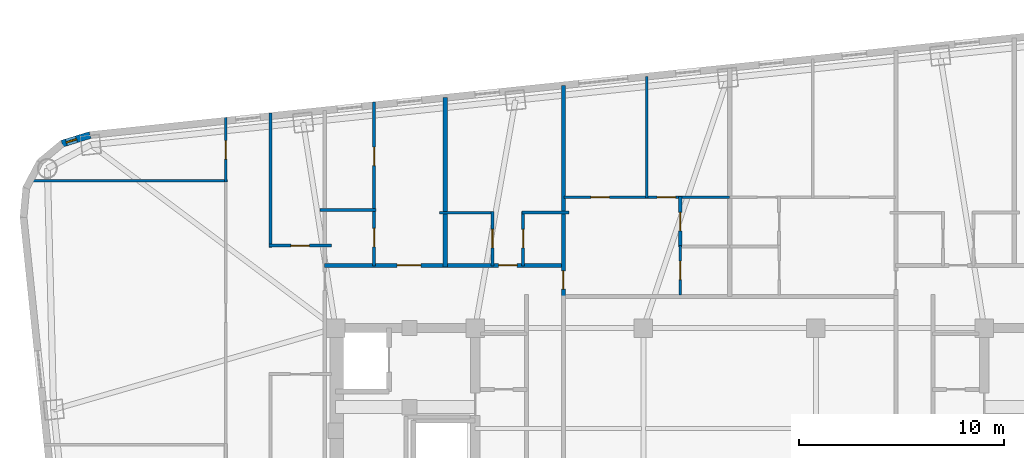
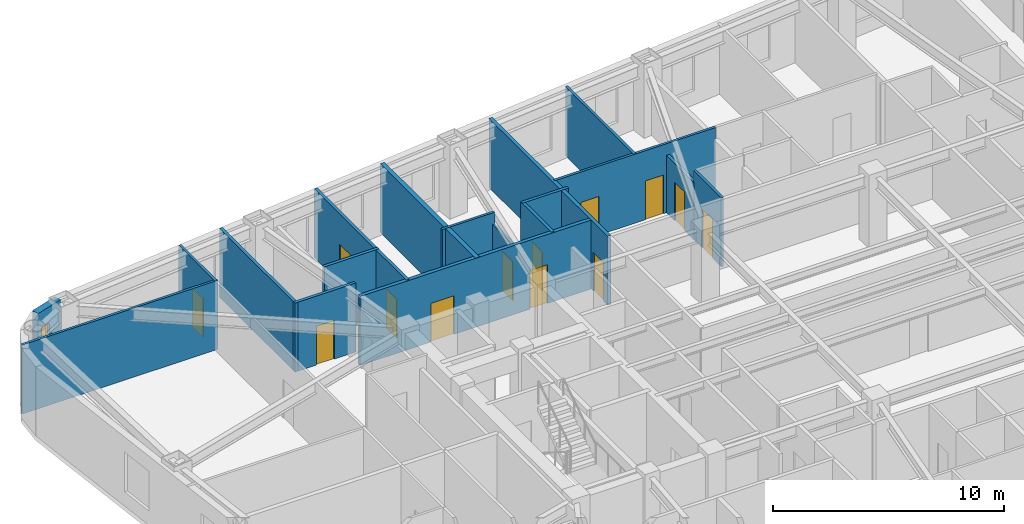
# One storey, part 7 of 11: 19 walls, 13 doors, 1 window, 14 openings.
"""IFC4 building model written with IfcOpenShell, lengths in metres."""

from ifc_helpers import new_model, si_unit, direction, frame, frame_2d, origin, place, context, subcontext, project, spatial, rectangle, extrude, material, layer, layer_set, type_object, element, fill, save


model = new_model("IFC4")

# Units and contexts
model_context = context("Model", 3, precision=1e-05, world=origin(), true_north=direction((0.0, 1.0)))
body_context = subcontext(model_context, "Body", "Model", "MODEL_VIEW")
ifc_project = project(units=[si_unit("LENGTHUNIT", "METRE"), si_unit("AREAUNIT", "SQUARE_METRE"), si_unit("VOLUMEUNIT", "CUBIC_METRE"), si_unit("PLANEANGLEUNIT", "RADIAN"), si_unit("MASSUNIT", "GRAM", prefix="KILO")], contexts=[model_context])

# Site, building, storey
site_placement = place(None, origin())
site = spatial("IfcSite", under=ifc_project, at=site_placement, CompositionType="ELEMENT")
building_placement = place(site_placement, origin())
building = spatial("IfcBuilding", under=site, at=building_placement, Name="Voryun Gate Residences", CompositionType="ELEMENT")
storey_placement = place(building_placement, frame((0.0, 0.0, 156.0)))
storey = spatial("IfcBuildingStorey", under=building, at=storey_placement, Name="L38", CompositionType="ELEMENT", Elevation=156.0)

# Wall, openings, doors
ifc_material_1 = material(Name="Gypsum acoustic fireboard")
ifc_layer_1 = layer(ifc_material_1, 0.179931640625, Name="W_CORR_RATED_180")
ifc_layer_set_1 = layer_set([ifc_layer_1], Name="Gypsum acoustic fireboard")
wall_type_1 = type_object("IfcWallType", Name="W_CORR_RATED_180", PredefinedType="PARTITIONING", material=ifc_layer_set_1)
wall_1_placement = place(storey_placement, frame((-19.75, 10.449951171875, 0.0), z_axis=(0.0, 0.0, 1.0), x_axis=(1.0, 0.0, 0.0)))
wall_1 = element("IfcWall", 1, at=wall_1_placement, inside=storey, type_object=wall_type_1, Name="Partition wall WP-L38-NCORR-W", PredefinedType="PARTITIONING", context=body_context, shape_type="SweptSolid", body=[
    extrude(rectangle(XDim=11.669921875, YDim=0.179931640625, at=frame_2d((5.8349609375, 0.0))), origin(), (0.0, 0.0, 1.0), 3.64990234375),
])
opening_1_placement = place(wall_1_placement, frame((3.552734375, 0.0, 0.0)))
opening_1 = element("IfcOpeningElement", 2, at=opening_1_placement, cuts=wall_1, Name="Opening D-UNIT-1", PredefinedType="OPENING", context=body_context, shape_type="SweptSolid", body=[
    extrude(rectangle(XDim=1.14990234375, YDim=2.050048828125, at=frame_2d((0.574951171875, 1.02490234375))), frame((0.0, 0.099853515625, 0.0), z_axis=(0.0, -1.0, 0.0), x_axis=(1.0, 0.0, 0.0)), (0.0, 0.0, 1.0), 0.199951171875),
])
opening_2_placement = place(wall_1_placement, frame((8.4892578125, 0.0, 0.0)))
opening_2 = element("IfcOpeningElement", 3, at=opening_2_placement, cuts=wall_1, Name="Opening D-INT-2", PredefinedType="OPENING", context=body_context, shape_type="SweptSolid", body=[
    extrude(rectangle(XDim=0.89990234375, YDim=2.050048828125, at=frame_2d((0.449951171875, 1.02490234375))), frame((0.0, 0.099853515625, 0.0), z_axis=(0.0, -1.0, 0.0), x_axis=(1.0, 0.0, 0.0)), (0.0, 0.0, 1.0), 0.199951171875),
])
ifc_material_2 = material(Name="Architectural oak veneer")
door_type_1 = type_object("IfcDoorType", Name="DR_INT_BATH_900", OperationType="NOTDEFINED", PredefinedType="DOOR", material=ifc_material_2)
door_1_placement = place(opening_2_placement, origin())
door_1 = element("IfcDoor", 4, at=door_1_placement, inside=storey, type_object=door_type_1, Name="Door DR-L38-NENT-2", OperationType="SINGLE_SWING_RIGHT", OverallHeight=2.050048828125, OverallWidth=0.89990234375, PredefinedType="DOOR", context=body_context, shape_type="SweptSolid", body=[
    extrude(rectangle(XDim=0.89990234375, YDim=2.050048828125, at=frame_2d((0.449951171875, 1.02490234375))), frame((0.0, 0.02490234375, 0.0), z_axis=(0.0, -1.0, 0.0), x_axis=(1.0, 0.0, 0.0)), (0.0, 0.0, 1.0), 0.050048828125),
])
fill(opening_2, door_1)
ifc_material_3 = material(Name="Armoured timber-clad fire door", Category="wood")
door_type_2 = type_object("IfcDoorType", Name="DR_UNIT_ENTRY_1150", OperationType="NOTDEFINED", PredefinedType="DOOR", material=ifc_material_3)
door_2_placement = place(opening_1_placement, origin())
door_2 = element("IfcDoor", 5, at=door_2_placement, inside=storey, type_object=door_type_2, Name="Door DR-L38-NENT-1", OperationType="SINGLE_SWING_LEFT", OverallHeight=2.050048828125, OverallWidth=1.14990234375, PredefinedType="DOOR", context=body_context, shape_type="SweptSolid", body=[
    extrude(rectangle(XDim=1.14990234375, YDim=2.050048828125, at=frame_2d((0.574951171875, 1.02490234375))), frame((0.0, 0.02490234375, 0.0), z_axis=(0.0, -1.0, 0.0), x_axis=(1.0, 0.0, 0.0)), (0.0, 0.0, 1.0), 0.050048828125),
])
fill(opening_1, door_2)

# Wall, opening, door
wall_2_placement = place(storey_placement, frame((-8.10009765625, 8.93994140625, 0.0), z_axis=(0.0, 0.0, 1.0), x_axis=(0.0, 1.0, 0.0)))
wall_2 = element("IfcWall", 6, at=wall_2_placement, inside=storey, type_object=wall_type_1, Name="Partition wall WP-L38-NZV-1", PredefinedType="PARTITIONING", context=body_context, shape_type="SweptSolid", body=[
    extrude(rectangle(XDim=10.286376953125, YDim=0.179931640625, at=frame_2d((5.14306640625, 0.0))), origin(), (0.0, 0.0, 1.0), 3.64990234375),
])
opening_3_placement = place(wall_2_placement, frame((0.350341796875, 0.0, 0.0)))
opening_3 = element("IfcOpeningElement", 7, at=opening_3_placement, cuts=wall_2, Name="Opening D-INT-2", PredefinedType="OPENING", context=body_context, shape_type="SweptSolid", body=[
    extrude(rectangle(XDim=0.89990234375, YDim=2.050048828125, at=frame_2d((0.449951171875, 1.02490234375))), frame((0.0, 0.099853515625, 0.0), z_axis=(0.0, -1.0, 0.0), x_axis=(1.0, 0.0, 0.0)), (0.0, 0.0, 1.0), 0.199951171875),
])
door_3_placement = place(opening_3_placement, origin())
door_3 = element("IfcDoor", 8, at=door_3_placement, inside=storey, type_object=door_type_1, Name="Door DR-L38-NZENT-1", OperationType="SINGLE_SWING_LEFT", OverallHeight=2.050048828125, OverallWidth=0.89990234375, PredefinedType="DOOR", context=body_context, shape_type="SweptSolid", body=[
    extrude(rectangle(XDim=0.89990234375, YDim=2.050048828125, at=frame_2d((0.449951171875, 1.02490234375))), frame((0.0, 0.02490234375, 0.0), z_axis=(0.0, -1.0, 0.0), x_axis=(1.0, 0.0, 0.0)), (0.0, 0.0, 1.0), 0.050048828125),
])
fill(opening_3, door_3)

# Wall, opening, window
ifc_material_4 = material(Name="Charcoal terracotta masonry", Category="masonry")
ifc_layer_2 = layer(ifc_material_4, 0.340087890625, Name="W_EXT_TERRACOTTA_340")
ifc_layer_set_2 = layer_set([ifc_layer_2], Name="Charcoal terracotta masonry")
wall_type_2 = type_object("IfcWallType", Name="W_EXT_TERRACOTTA_340", PredefinedType="ELEMENTEDWALL", material=ifc_layer_set_2)
wall_3_placement = place(storey_placement, frame((-32.523193359375, 16.37841796875, 0.0), z_axis=(0.0, 0.0, 1.0), x_axis=(0.9549942197, 0.296624409546, 0.0)))
wall_3 = element("IfcWall", 9, at=wall_3_placement, inside=storey, type_object=wall_type_2, Name="Exterior wall WEXT-L38-10", PredefinedType="ELEMENTEDWALL", context=body_context, shape_type="SweptSolid", body=[
    extrude(rectangle(XDim=1.43212890625, YDim=0.340087890625, at=frame_2d((0.716064453125, 0.0))), origin(), (0.0, 0.0, 1.0), 3.64990234375),
])
opening_4_placement = place(wall_3_placement, frame((0.216064453125, 0.0, 0.75)))
opening_4 = element("IfcOpeningElement", 10, at=opening_4_placement, cuts=wall_3, Name="Opening WN10", PredefinedType="OPENING", context=body_context, shape_type="SweptSolid", body=[
    extrude(rectangle(XDim=0.52001953125, YDim=2.050048828125, at=frame_2d((0.260009765625, 1.02490234375))), frame((0.0, 0.179931640625, 0.0), z_axis=(0.0, -1.0, 0.0), x_axis=(1.0, 0.0, 0.0)), (0.0, 0.0, 1.0), 0.360107421875),
])
ifc_material_5 = material(Name="Laminated low-E glass", Category="glass")
window_type = type_object("IfcWindowType", Name="WN_PAGODA_LANCET_520", PartitioningType="SINGLE_PANEL", PredefinedType="WINDOW", material=ifc_material_5)
window_placement = place(opening_4_placement, origin())
window = element("IfcWindow", 11, at=window_placement, inside=storey, type_object=window_type, Name="Window WN-L38-DWFIX-24", OverallHeight=2.050048828125, OverallWidth=0.52001953125, PartitioningType="SINGLE_PANEL", PredefinedType="WINDOW", context=body_context, shape_type="SweptSolid", body=[
    extrude(rectangle(XDim=0.52001953125, YDim=2.050048828125, at=frame_2d((0.260009765625, 1.02490234375))), frame((0.0, 0.030029296875, 0.0), z_axis=(0.0, -1.0, 0.0), x_axis=(1.0, 0.0, 0.0)), (0.0, 0.0, 1.0), 0.06005859375),
])
fill(opening_4, window)

# Wall
ifc_material_6 = material(Name="Concrete C40/50", Category="concrete")
ifc_layer_3 = layer(ifc_material_6, 0.219970703125, Name="W_PARTY_ACOUSTIC_220")
ifc_layer_set_3 = layer_set([ifc_layer_3], Name="Concrete C40/50")
wall_type_3 = type_object("IfcWallType", Name="W_PARTY_ACOUSTIC_220", PredefinedType="PARTITIONING", material=ifc_layer_set_3)
wall_4_placement = place(storey_placement, frame((-13.864990234375, 10.3701171875, 0.0), z_axis=(0.0, 0.0, 1.0), x_axis=(0.0, 1.0, 0.0)))
element("IfcWall", 12, at=wall_4_placement, inside=storey, type_object=wall_type_3, Name="Partition wall WP-L38-NPTY-1", PredefinedType="PARTITIONING", context=body_context, shape_type="SweptSolid", body=[
    extrude(rectangle(XDim=8.25048828125, YDim=0.219970703125, at=frame_2d((4.125244140625, 0.0))), origin(), (0.0, 0.0, 1.0), 3.64990234375),
])

# Wall, opening, door
ifc_material_7 = material(Name="Gypsum acoustic partition")
ifc_layer_4 = layer(ifc_material_7, 0.125, Name="W_UNIT_PART_125")
ifc_layer_set_4 = layer_set([ifc_layer_4], Name="Gypsum acoustic partition")
wall_type_4 = type_object("IfcWallType", Name="W_UNIT_PART_125", PredefinedType="PARTITIONING", material=ifc_layer_set_4)
wall_5_placement = place(storey_placement, frame((-11.554931640625, 10.429931640625, 0.0), z_axis=(0.0, 0.0, 1.0), x_axis=(0.0, 1.0, 0.0)))
wall_5 = element("IfcWall", 13, at=wall_5_placement, inside=storey, type_object=wall_type_4, Name="Partition wall WP-L38-N2-CVK", PredefinedType="PARTITIONING", context=body_context, shape_type="SweptSolid", body=[
    extrude(rectangle(XDim=2.650146484375, YDim=0.125, at=frame_2d((1.3251953125, 0.0))), origin(), (0.0, 0.0, 1.0), 3.0400390625),
])
opening_5_placement = place(wall_5_placement, frame((0.875, 0.0, 0.0)))
opening_5 = element("IfcOpeningElement", 14, at=opening_5_placement, cuts=wall_5, Name="Opening D-INT-2", PredefinedType="OPENING", context=body_context, shape_type="SweptSolid", body=[
    extrude(rectangle(XDim=0.89990234375, YDim=2.050048828125, at=frame_2d((0.449951171875, 1.02490234375))), frame((0.0, 0.072509765625, 0.0), z_axis=(0.0, -1.0, 0.0), x_axis=(1.0, 0.0, 0.0)), (0.0, 0.0, 1.0), 0.14501953125),
])
door_4_placement = place(opening_5_placement, origin())
door_4 = element("IfcDoor", 15, at=door_4_placement, inside=storey, type_object=door_type_1, Name="Door DR-L38-N2-DK", OperationType="SINGLE_SWING_LEFT", OverallHeight=2.050048828125, OverallWidth=0.89990234375, PredefinedType="DOOR", context=body_context, shape_type="SweptSolid", body=[
    extrude(rectangle(XDim=0.89990234375, YDim=2.050048828125, at=frame_2d((0.449951171875, 1.02490234375))), frame((0.0, 0.02490234375, 0.0), z_axis=(0.0, -1.0, 0.0), x_axis=(1.0, 0.0, 0.0)), (0.0, 0.0, 1.0), 0.050048828125),
])
fill(opening_5, door_4)

# Wall
wall_6_placement = place(storey_placement, frame((-14.125, 13.02001953125, 0.0), z_axis=(0.0, 0.0, 1.0), x_axis=(1.0, 0.0, 0.0)))
element("IfcWall", 16, at=wall_6_placement, inside=storey, type_object=wall_type_4, Name="Partition wall WP-L38-N2-CHK", PredefinedType="PARTITIONING", context=body_context, shape_type="SweptSolid", body=[
    extrude(rectangle(XDim=2.6298828125, YDim=0.125, at=frame_2d((1.31494140625, 0.0))), origin(), (0.0, 0.0, 1.0), 3.64990234375),
])

# Wall, openings, doors
wall_7_placement = place(storey_placement, frame((-8.080078125, 13.780029296875, 0.0), z_axis=(0.0, 0.0, 1.0), x_axis=(1.0, 0.0, 0.0)))
wall_7 = element("IfcWall", 17, at=wall_7_placement, inside=storey, type_object=wall_type_4, Name="Partition wall WP-L38-NC1-HZ", PredefinedType="PARTITIONING", context=body_context, shape_type="SweptSolid", body=[
    extrude(rectangle(XDim=8.06005859375, YDim=0.125, at=frame_2d((4.030029296875, 0.0))), origin(), (0.0, 0.0, 1.0), 3.64990234375),
])
opening_6_placement = place(wall_7_placement, frame((1.3232421875, 0.0, 0.0)))
opening_6 = element("IfcOpeningElement", 18, at=opening_6_placement, cuts=wall_7, Name="Opening D-INT-2", PredefinedType="OPENING", context=body_context, shape_type="SweptSolid", body=[
    extrude(rectangle(XDim=0.89990234375, YDim=2.050048828125, at=frame_2d((0.449951171875, 1.02490234375))), frame((0.0, 0.072509765625, 0.0), z_axis=(0.0, -1.0, 0.0), x_axis=(1.0, 0.0, 0.0)), (0.0, 0.0, 1.0), 0.14501953125),
])
opening_7_placement = place(wall_7_placement, frame((4.547119140625, 0.0, 0.0)))
opening_7 = element("IfcOpeningElement", 19, at=opening_7_placement, cuts=wall_7, Name="Opening D-INT-2", PredefinedType="OPENING", context=body_context, shape_type="SweptSolid", body=[
    extrude(rectangle(XDim=0.89990234375, YDim=2.050048828125, at=frame_2d((0.449951171875, 1.02490234375))), frame((0.0, 0.072509765625, 0.0), z_axis=(0.0, -1.0, 0.0), x_axis=(1.0, 0.0, 0.0)), (0.0, 0.0, 1.0), 0.14501953125),
])
door_5_placement = place(opening_6_placement, origin())
door_5 = element("IfcDoor", 20, at=door_5_placement, inside=storey, type_object=door_type_1, Name="Door DR-L38-NC1-DMB", OperationType="SINGLE_SWING_LEFT", OverallHeight=2.050048828125, OverallWidth=0.89990234375, PredefinedType="DOOR", context=body_context, shape_type="SweptSolid", body=[
    extrude(rectangle(XDim=0.89990234375, YDim=2.050048828125, at=frame_2d((0.449951171875, 1.02490234375))), frame((0.0, 0.02490234375, 0.0), z_axis=(0.0, -1.0, 0.0), x_axis=(1.0, 0.0, 0.0)), (0.0, 0.0, 1.0), 0.050048828125),
])
fill(opening_6, door_5)
door_6_placement = place(opening_7_placement, origin())
door_6 = element("IfcDoor", 21, at=door_6_placement, inside=storey, type_object=door_type_1, Name="Door DR-L38-NC1-DBD2", OperationType="SINGLE_SWING_RIGHT", OverallHeight=2.050048828125, OverallWidth=0.89990234375, PredefinedType="DOOR", context=body_context, shape_type="SweptSolid", body=[
    extrude(rectangle(XDim=0.89990234375, YDim=2.050048828125, at=frame_2d((0.449951171875, 1.02490234375))), frame((0.0, 0.02490234375, 0.0), z_axis=(0.0, -1.0, 0.0), x_axis=(1.0, 0.0, 0.0)), (0.0, 0.0, 1.0), 0.050048828125),
])
fill(opening_7, door_6)

# Wall, opening, door
wall_8_placement = place(storey_placement, frame((-2.409912109375, 9.0, 0.0), z_axis=(0.0, 0.0, 1.0), x_axis=(0.0, 1.0, 0.0)))
wall_8 = element("IfcWall", 22, at=wall_8_placement, inside=storey, type_object=wall_type_4, Name="Partition wall WP-L38-NC1-VK1", PredefinedType="PARTITIONING", context=body_context, shape_type="SweptSolid", body=[
    extrude(rectangle(XDim=2.409912109375, YDim=0.125, at=frame_2d((1.205078125, 0.0))), origin(), (0.0, 0.0, 1.0), 3.64990234375),
])
opening_8_placement = place(wall_8_placement, frame((0.7548828125, 0.0, 0.0)))
opening_8 = element("IfcOpeningElement", 23, at=opening_8_placement, cuts=wall_8, Name="Opening D-INT-2", PredefinedType="OPENING", context=body_context, shape_type="SweptSolid", body=[
    extrude(rectangle(XDim=0.89990234375, YDim=2.050048828125, at=frame_2d((0.449951171875, 1.02490234375))), frame((0.0, 0.072509765625, 0.0), z_axis=(0.0, -1.0, 0.0), x_axis=(1.0, 0.0, 0.0)), (0.0, 0.0, 1.0), 0.14501953125),
])
door_7_placement = place(opening_8_placement, origin())
door_7 = element("IfcDoor", 24, at=door_7_placement, inside=storey, type_object=door_type_1, Name="Door DR-L38-NC1-DK", OperationType="SINGLE_SWING_LEFT", OverallHeight=2.050048828125, OverallWidth=0.89990234375, PredefinedType="DOOR", context=body_context, shape_type="SweptSolid", body=[
    extrude(rectangle(XDim=0.89990234375, YDim=2.050048828125, at=frame_2d((0.449951171875, 1.02490234375))), frame((0.0, 0.02490234375, 0.0), z_axis=(0.0, -1.0, 0.0), x_axis=(1.0, 0.0, 0.0)), (0.0, 0.0, 1.0), 0.050048828125),
])
fill(opening_8, door_7)

# Walls
wall_9_placement = place(storey_placement, frame((-4.050048828125, 13.739990234375, 0.0), z_axis=(0.0, 0.0, 1.0), x_axis=(0.0, 1.0, 0.0)))
element("IfcWall", 25, at=wall_9_placement, inside=storey, type_object=wall_type_4, Name="Partition wall WP-L38-NC1-VBD", PredefinedType="PARTITIONING", context=body_context, shape_type="SweptSolid", body=[
    extrude(rectangle(XDim=5.912109375, YDim=0.125, at=frame_2d((2.9560546875, 0.0))), origin(), (0.0, 0.0, 1.0), 3.64990234375),
])
wall_10_placement = place(storey_placement, frame((-34.2587890625, 14.56494140625, 0.0), z_axis=(0.0, 0.0, 1.0), x_axis=(1.0, 0.0, 0.0)))
element("IfcWall", 26, at=wall_10_placement, inside=storey, type_object=wall_type_4, Name="Partition wall WP-L38-W2-OH2", PredefinedType="PARTITIONING", context=body_context, shape_type="SweptSolid", body=[
    extrude(rectangle(XDim=9.788818359375, YDim=0.125, at=frame_2d((4.89453125, 0.0))), origin(), (0.0, 0.0, 1.0), 3.64990234375),
])

# Wall, opening, door
wall_11_placement = place(storey_placement, frame((-24.550048828125, 14.514892578125, 0.0), z_axis=(0.0, 0.0, 1.0), x_axis=(0.0, 1.0, 0.0)))
wall_11 = element("IfcWall", 27, at=wall_11_placement, inside=storey, type_object=wall_type_4, Name="Partition wall WP-L38-W2-OVX3", PredefinedType="PARTITIONING", context=body_context, shape_type="SweptSolid", body=[
    extrude(rectangle(XDim=3.13330078125, YDim=0.125, at=frame_2d((1.566650390625, 0.0))), origin(), (0.0, 0.0, 1.0), 3.64990234375),
])
opening_9_placement = place(wall_11_placement, frame((1.11669921875, 0.0, 0.0)))
opening_9 = element("IfcOpeningElement", 28, at=opening_9_placement, cuts=wall_11, Name="Opening D-INT-2", PredefinedType="OPENING", context=body_context, shape_type="SweptSolid", body=[
    extrude(rectangle(XDim=0.89990234375, YDim=2.050048828125, at=frame_2d((0.449951171875, 1.02490234375))), frame((0.0, 0.072509765625, 0.0), z_axis=(0.0, -1.0, 0.0), x_axis=(1.0, 0.0, 0.0)), (0.0, 0.0, 1.0), 0.14501953125),
])
door_8_placement = place(opening_9_placement, origin())
door_8 = element("IfcDoor", 29, at=door_8_placement, inside=storey, type_object=door_type_1, Name="Door DR-L38-W2-DMB", OperationType="SINGLE_SWING_LEFT", OverallHeight=2.050048828125, OverallWidth=0.89990234375, PredefinedType="DOOR", context=body_context, shape_type="SweptSolid", body=[
    extrude(rectangle(XDim=0.89990234375, YDim=2.050048828125, at=frame_2d((0.449951171875, 1.02490234375))), frame((0.0, 0.02490234375, 0.0), z_axis=(0.0, -1.0, 0.0), x_axis=(1.0, 0.0, 0.0)), (0.0, 0.0, 1.0), 0.050048828125),
])
fill(opening_9, door_8)

# Wall
ifc_material_8 = material(Name="Gypsum moisture-resistant partition")
ifc_layer_5 = layer(ifc_material_8, 0.14990234375, Name="W_WET_PLUMB_150")
ifc_layer_set_5 = layer_set([ifc_layer_5], Name="Gypsum moisture-resistant partition")
wall_type_5 = type_object("IfcWallType", Name="W_WET_PLUMB_150", PredefinedType="PLUMBINGWALL", material=ifc_layer_set_5)
wall_12_placement = place(storey_placement, frame((-19.969970703125, 13.14990234375, 0.0), z_axis=(0.0, 0.0, 1.0), x_axis=(1.0, 0.0, 0.0)))
element("IfcWall", 30, at=wall_12_placement, inside=storey, type_object=wall_type_5, Name="Partition wall WP-L38-N1-SKB", PredefinedType="PLUMBINGWALL", context=body_context, shape_type="SweptSolid", body=[
    extrude(rectangle(XDim=2.72998046875, YDim=0.14990234375, at=frame_2d((1.364990234375, 0.0))), origin(), (0.0, 0.0, 1.0), 3.64990234375),
])

# Wall, opening, door
wall_13_placement = place(storey_placement, frame((-17.320068359375, 10.429931640625, 0.0), z_axis=(0.0, 0.0, 1.0), x_axis=(0.0, 1.0, 0.0)))
wall_13 = element("IfcWall", 31, at=wall_13_placement, inside=storey, type_object=wall_type_5, Name="Partition wall WP-L38-N1-SVT1", PredefinedType="PLUMBINGWALL", context=body_context, shape_type="SweptSolid", body=[
    extrude(rectangle(XDim=2.760009765625, YDim=0.14990234375, at=frame_2d((1.3798828125, 0.0))), origin(), (0.0, 0.0, 1.0), 3.64990234375),
])
opening_10_placement = place(wall_13_placement, frame((0.929931640625, 0.0, 0.0)))
opening_10 = element("IfcOpeningElement", 32, at=opening_10_placement, cuts=wall_13, Name="Opening D-INT-2", PredefinedType="OPENING", context=body_context, shape_type="SweptSolid", body=[
    extrude(rectangle(XDim=0.89990234375, YDim=2.050048828125, at=frame_2d((0.449951171875, 1.02490234375))), frame((0.0, 0.0849609375, 0.0), z_axis=(0.0, -1.0, 0.0), x_axis=(1.0, 0.0, 0.0)), (0.0, 0.0, 1.0), 0.169921875),
])
door_9_placement = place(opening_10_placement, origin())
door_9 = element("IfcDoor", 33, at=door_9_placement, inside=storey, type_object=door_type_1, Name="Door DR-L38-N1-DB", OperationType="SINGLE_SWING_LEFT", OverallHeight=2.050048828125, OverallWidth=0.89990234375, PredefinedType="DOOR", context=body_context, shape_type="SweptSolid", body=[
    extrude(rectangle(XDim=0.89990234375, YDim=2.050048828125, at=frame_2d((0.449951171875, 1.02490234375))), frame((0.0, 0.02490234375, 0.0), z_axis=(0.0, -1.0, 0.0), x_axis=(1.0, 0.0, 0.0)), (0.0, 0.0, 1.0), 0.050048828125),
])
fill(opening_10, door_9)

wall_14_placement = place(storey_placement, frame((-17.320068359375, 13.110107421875, 0.0), z_axis=(0.0, 0.0, 1.0), x_axis=(0.0, 1.0, 0.0)))
wall_14 = element("IfcWall", 34, at=wall_14_placement, inside=storey, type_object=wall_type_5, Name="Partition wall WP-L38-N1-SVT2", PredefinedType="PLUMBINGWALL", context=body_context, shape_type="SweptSolid", body=[
    extrude(rectangle(XDim=5.298095703125, YDim=0.14990234375, at=frame_2d((2.64892578125, 0.0))), origin(), (0.0, 0.0, 1.0), 3.64990234375),
])
opening_11_placement = place(wall_14_placement, frame((2.19921875, 0.0, 0.0)))
opening_11 = element("IfcOpeningElement", 35, at=opening_11_placement, cuts=wall_14, Name="Opening D-INT-2", PredefinedType="OPENING", context=body_context, shape_type="SweptSolid", body=[
    extrude(rectangle(XDim=0.89990234375, YDim=2.050048828125, at=frame_2d((0.449951171875, 1.02490234375))), frame((0.0, 0.0849609375, 0.0), z_axis=(0.0, -1.0, 0.0), x_axis=(1.0, 0.0, 0.0)), (0.0, 0.0, 1.0), 0.169921875),
])
door_10_placement = place(opening_11_placement, origin())
door_10 = element("IfcDoor", 36, at=door_10_placement, inside=storey, type_object=door_type_1, Name="Door DR-L38-N1-DK", OperationType="SINGLE_SWING_RIGHT", OverallHeight=2.050048828125, OverallWidth=0.89990234375, PredefinedType="DOOR", context=body_context, shape_type="SweptSolid", body=[
    extrude(rectangle(XDim=0.89990234375, YDim=2.050048828125, at=frame_2d((0.449951171875, 1.02490234375))), frame((0.0, 0.02490234375, 0.0), z_axis=(0.0, -1.0, 0.0), x_axis=(1.0, 0.0, 0.0)), (0.0, 0.0, 1.0), 0.050048828125),
])
fill(opening_11, door_10)

wall_15_placement = place(storey_placement, frame((-10.06591796875, 10.429931640625, 0.0), z_axis=(0.0, 0.0, 1.0), x_axis=(0.0, 1.0, 0.0)))
wall_15 = element("IfcWall", 37, at=wall_15_placement, inside=storey, type_object=wall_type_5, Name="Partition wall WP-L38-N2-CVB", PredefinedType="PLUMBINGWALL", context=body_context, shape_type="SweptSolid", body=[
    extrude(rectangle(XDim=2.650146484375, YDim=0.14990234375, at=frame_2d((1.3251953125, 0.0))), origin(), (0.0, 0.0, 1.0), 3.64990234375),
])
opening_12_placement = place(wall_15_placement, frame((0.875, 0.0, 0.0)))
opening_12 = element("IfcOpeningElement", 38, at=opening_12_placement, cuts=wall_15, Name="Opening D-INT-2", PredefinedType="OPENING", context=body_context, shape_type="SweptSolid", body=[
    extrude(rectangle(XDim=0.89990234375, YDim=2.050048828125, at=frame_2d((0.449951171875, 1.02490234375))), frame((0.0, 0.0849609375, 0.0), z_axis=(0.0, -1.0, 0.0), x_axis=(1.0, 0.0, 0.0)), (0.0, 0.0, 1.0), 0.169921875),
])
door_11_placement = place(opening_12_placement, origin())
door_11 = element("IfcDoor", 39, at=door_11_placement, inside=storey, type_object=door_type_1, Name="Door DR-L38-N2-DB", OperationType="SINGLE_SWING_RIGHT", OverallHeight=2.050048828125, OverallWidth=0.89990234375, PredefinedType="DOOR", context=body_context, shape_type="SweptSolid", body=[
    extrude(rectangle(XDim=0.89990234375, YDim=2.050048828125, at=frame_2d((0.449951171875, 1.02490234375))), frame((0.0, 0.02490234375, 0.0), z_axis=(0.0, -1.0, 0.0), x_axis=(1.0, 0.0, 0.0)), (0.0, 0.0, 1.0), 0.050048828125),
])
fill(opening_12, door_11)

# Wall
wall_16_placement = place(storey_placement, frame((-10.1259765625, 13.02001953125, 0.0), z_axis=(0.0, 0.0, 1.0), x_axis=(1.0, 0.0, 0.0)))
element("IfcWall", 40, at=wall_16_placement, inside=storey, type_object=wall_type_5, Name="Partition wall WP-L38-N2-CHB", PredefinedType="PLUMBINGWALL", context=body_context, shape_type="SweptSolid", body=[
    extrude(rectangle(XDim=2.305908203125, YDim=0.14990234375, at=frame_2d((1.15283203125, 0.0))), origin(), (0.0, 0.0, 1.0), 3.64990234375),
])

# Wall, opening, door
wall_17_placement = place(storey_placement, frame((-2.409912109375, 11.35009765625, 0.0), z_axis=(0.0, 0.0, 1.0), x_axis=(0.0, 1.0, 0.0)))
wall_17 = element("IfcWall", 41, at=wall_17_placement, inside=storey, type_object=wall_type_5, Name="Partition wall WP-L38-NC1-VK2", PredefinedType="PLUMBINGWALL", context=body_context, shape_type="SweptSolid", body=[
    extrude(rectangle(XDim=2.469970703125, YDim=0.14990234375, at=frame_2d((1.23486328125, 0.0))), origin(), (0.0, 0.0, 1.0), 3.0400390625),
])
opening_13_placement = place(wall_17_placement, frame((0.784912109375, 0.0, 0.0)))
opening_13 = element("IfcOpeningElement", 42, at=opening_13_placement, cuts=wall_17, Name="Opening D-INT-2", PredefinedType="OPENING", context=body_context, shape_type="SweptSolid", body=[
    extrude(rectangle(XDim=0.89990234375, YDim=2.050048828125, at=frame_2d((0.449951171875, 1.02490234375))), frame((0.0, 0.0849609375, 0.0), z_axis=(0.0, -1.0, 0.0), x_axis=(1.0, 0.0, 0.0)), (0.0, 0.0, 1.0), 0.169921875),
])
door_12_placement = place(opening_13_placement, origin())
door_12 = element("IfcDoor", 43, at=door_12_placement, inside=storey, type_object=door_type_1, Name="Door DR-L38-NC1-DB", OperationType="SINGLE_SWING_RIGHT", OverallHeight=2.050048828125, OverallWidth=0.89990234375, PredefinedType="DOOR", context=body_context, shape_type="SweptSolid", body=[
    extrude(rectangle(XDim=0.89990234375, YDim=2.050048828125, at=frame_2d((0.449951171875, 1.02490234375))), frame((0.0, 0.02490234375, 0.0), z_axis=(0.0, -1.0, 0.0), x_axis=(1.0, 0.0, 0.0)), (0.0, 0.0, 1.0), 0.050048828125),
])
fill(opening_13, door_12)

wall_18_placement = place(storey_placement, frame((-22.449951171875, 11.412109375, 0.0), z_axis=(0.0, 0.0, 1.0), x_axis=(1.0, 0.0, 0.0)))
wall_18 = element("IfcWall", 44, at=wall_18_placement, inside=storey, type_object=wall_type_5, Name="Partition wall WP-L38-W2-IBB", PredefinedType="PLUMBINGWALL", context=body_context, shape_type="SweptSolid", body=[
    extrude(rectangle(XDim=3.050048828125, YDim=0.14990234375, at=frame_2d((1.52490234375, 0.0))), origin(), (0.0, 0.0, 1.0), 3.64990234375),
])
opening_14_placement = place(wall_18_placement, frame((1.074951171875, 0.0, 0.0)))
opening_14 = element("IfcOpeningElement", 45, at=opening_14_placement, cuts=wall_18, Name="Opening D-INT-2", PredefinedType="OPENING", context=body_context, shape_type="SweptSolid", body=[
    extrude(rectangle(XDim=0.89990234375, YDim=2.050048828125, at=frame_2d((0.449951171875, 1.02490234375))), frame((0.0, 0.0849609375, 0.0), z_axis=(0.0, -1.0, 0.0), x_axis=(1.0, 0.0, 0.0)), (0.0, 0.0, 1.0), 0.169921875),
])
door_13_placement = place(opening_14_placement, origin())
door_13 = element("IfcDoor", 46, at=door_13_placement, inside=storey, type_object=door_type_1, Name="Door DR-L38-W2-DB", OperationType="SINGLE_SWING_RIGHT", OverallHeight=2.050048828125, OverallWidth=0.89990234375, PredefinedType="DOOR", context=body_context, shape_type="SweptSolid", body=[
    extrude(rectangle(XDim=0.89990234375, YDim=2.050048828125, at=frame_2d((0.449951171875, 1.02490234375))), frame((0.0, 0.02490234375, 0.0), z_axis=(0.0, -1.0, 0.0), x_axis=(1.0, 0.0, 0.0)), (0.0, 0.0, 1.0), 0.050048828125),
])
fill(opening_14, door_13)

# Wall
wall_19_placement = place(storey_placement, frame((-22.3701171875, 11.33203125, 0.0), z_axis=(0.0, 0.0, 1.0), x_axis=(0.0, 1.0, 0.0)))
element("IfcWall", 47, at=wall_19_placement, inside=storey, type_object=wall_type_5, Name="Partition wall WP-L38-W2-VTB", PredefinedType="PLUMBINGWALL", context=body_context, shape_type="SweptSolid", body=[
    extrude(rectangle(XDim=6.54541015625, YDim=0.14990234375, at=frame_2d((3.272705078125, 0.0))), origin(), (0.0, 0.0, 1.0), 3.64990234375),
])

save(model, "model.ifc")
